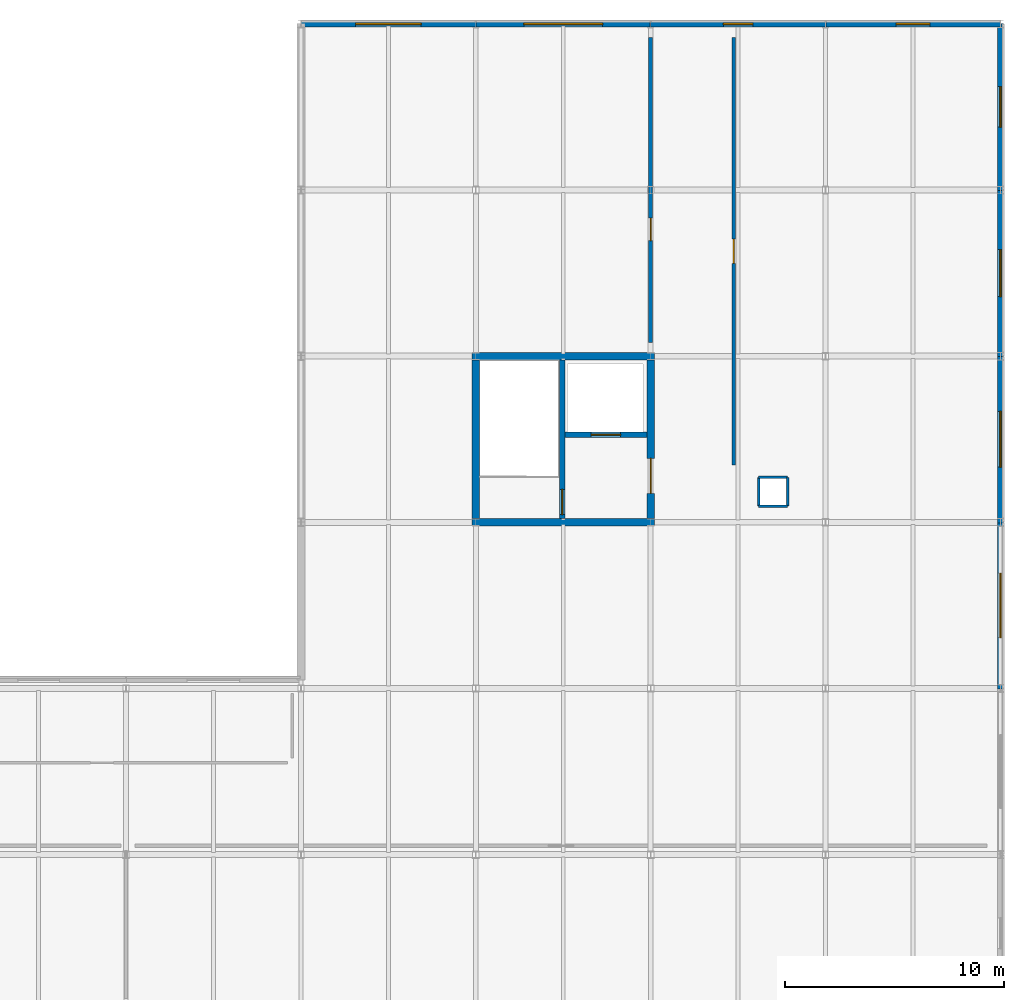
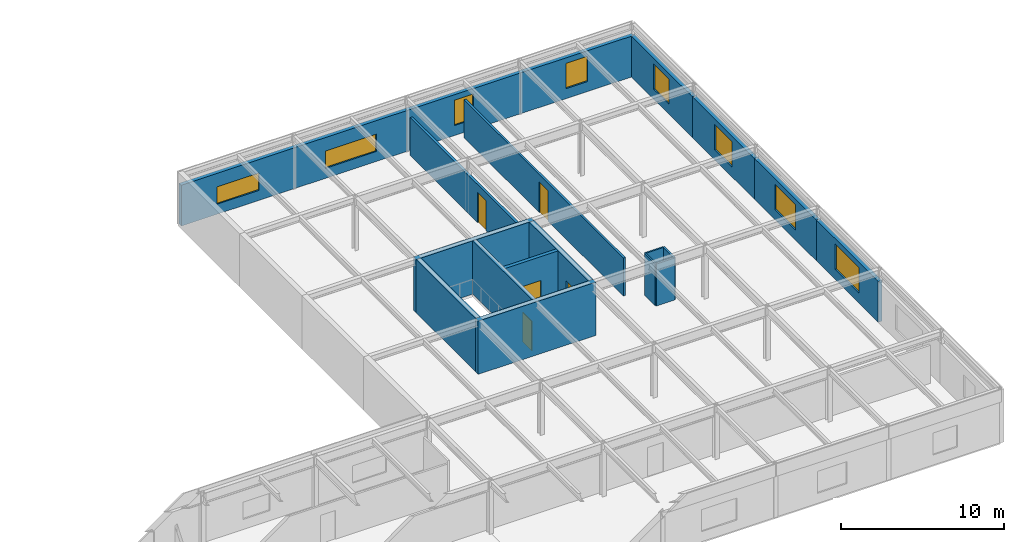
# One storey, part 26 of 33: 20 walls, 8 windows, 5 doors, 13 openings.
"""IFC4 building model written with IfcOpenShell, lengths in metres."""

from ifc_helpers import new_model, si_unit, direction, frame, frame_2d, origin, place, context, subcontext, project, spatial, rectangle, extrude, material, layer, layer_set, type_object, element, fill, save


model = new_model("IFC4")

# Units and contexts
model_context = context("Model", 3, precision=1e-05, world=origin(), true_north=direction((0.0, 1.0)))
body_context = subcontext(model_context, "Body", "Model", "MODEL_VIEW")
ifc_project = project(units=[si_unit("LENGTHUNIT", "METRE"), si_unit("AREAUNIT", "SQUARE_METRE"), si_unit("VOLUMEUNIT", "CUBIC_METRE"), si_unit("PLANEANGLEUNIT", "RADIAN"), si_unit("MASSUNIT", "GRAM", prefix="KILO")], contexts=[model_context])

# Site, building, storey
site_placement = place(None, origin())
site = spatial("IfcSite", under=ifc_project, at=site_placement, CompositionType="ELEMENT")
building_placement = place(site_placement, origin())
building = spatial("IfcBuilding", under=site, at=building_placement, Name="Zulena Civic Courthouse", CompositionType="ELEMENT")
storey_placement = place(building_placement, frame((0.0, 0.0, 33.60009765625)))
storey = spatial("IfcBuildingStorey", under=building, at=storey_placement, Name="L07", CompositionType="ELEMENT", Elevation=33.60009765625)

# Wall, opening, door
ifc_material_1 = material(Name="Concrete C40/50", Category="concrete")
ifc_layer_1 = layer(ifc_material_1, 0.25)
ifc_layer_set_1 = layer_set([ifc_layer_1], Name="Concrete C40/50")
wall_type_1 = type_object("IfcWallType", Name="CoreShearWall_RC250", PredefinedType="SHEAR", material=ifc_layer_set_1)
wall_1_placement = place(storey_placement, frame((79.949951171875, 68.574951171875, 0.0), z_axis=(0.0, 0.0, 1.0), x_axis=(0.0, 1.0, 0.0)))
wall_1 = element("IfcWall", 1, at=wall_1_placement, inside=storey, type_object=wall_type_1, Name="cwall:K5B:L07:DIV", PredefinedType="SHEAR", context=body_context, shape_type="SweptSolid", body=[
    extrude(rectangle(XDim=7.25, YDim=0.25, at=frame_2d((3.625, 0.0))), origin(), (0.0, 0.0, 1.0), 3.989990234375),
])
opening_1_placement = place(wall_1_placement, frame((0.179931640625, 0.0, 0.0)))
opening_1 = element("IfcOpeningElement", 2, at=opening_1_placement, cuts=wall_1, Name="Opening ID08", PredefinedType="OPENING", context=body_context, shape_type="SweptSolid", body=[
    extrude(rectangle(XDim=1.14990234375, YDim=2.199951171875, at=frame_2d((0.574951171875, 1.10009765625))), frame((0.0, 0.135009765625, 0.0), z_axis=(0.0, -1.0, 0.0), x_axis=(1.0, 0.0, 0.0)), (0.0, 0.0, 1.0), 0.27001953125),
])
ifc_material_2 = material(Name="Fire-rated galvanised steel ASTM A653 Grade 50", Category="steel")
door_type_1 = type_object("IfcDoorType", Name="IntDoor_Stair_1150x2200", OperationType="NOTDEFINED", PredefinedType="DOOR", material=ifc_material_2)
door_1_placement = place(opening_1_placement, origin())
door_1 = element("IfcDoor", 3, at=door_1_placement, inside=storey, type_object=door_type_1, Name="door:stair:K5B:L07", OperationType="SINGLE_SWING_RIGHT", OverallHeight=2.199951171875, OverallWidth=1.14990234375, PredefinedType="DOOR", context=body_context, shape_type="SweptSolid", body=[
    extrude(rectangle(XDim=1.14990234375, YDim=2.199951171875, at=frame_2d((0.574951171875, 1.10009765625))), frame((0.0, 0.02490234375, 0.0), z_axis=(0.0, -1.0, 0.0), x_axis=(1.0, 0.0, 0.0)), (0.0, 0.0, 1.0), 0.050048828125),
])
fill(opening_1, door_1)

wall_2_placement = place(storey_placement, frame((80.074951171875, 72.39990234375, 0.0), z_axis=(0.0, 0.0, 1.0), x_axis=(1.0, 0.0, 0.0)))
wall_2 = element("IfcWall", 4, at=wall_2_placement, inside=storey, type_object=wall_type_1, Name="cwall:K5B:L07:SHF", PredefinedType="SHEAR", context=body_context, shape_type="SweptSolid", body=[
    extrude(rectangle(XDim=3.75, YDim=0.25, at=frame_2d((1.875, 0.0))), origin(), (0.0, 0.0, 1.0), 3.989990234375),
])
opening_2_placement = place(wall_2_placement, frame((1.195068359375, 0.0, 0.0)))
opening_2 = element("IfcOpeningElement", 5, at=opening_2_placement, cuts=wall_2, Name="Opening LD04", PredefinedType="OPENING", context=body_context, shape_type="SweptSolid", body=[
    extrude(rectangle(XDim=1.35009765625, YDim=2.199951171875, at=frame_2d((0.675048828125, 1.10009765625))), frame((0.0, 0.135009765625, 0.0), z_axis=(0.0, -1.0, 0.0), x_axis=(1.0, 0.0, 0.0)), (0.0, 0.0, 1.0), 0.27001953125),
])
door_type_2 = type_object("IfcDoorType", Name="LiftLandingDoor_Goods_1350x2300", OperationType="DOUBLE_DOOR_SLIDING", PredefinedType="DOOR", material=ifc_material_2)
door_2_placement = place(opening_2_placement, origin())
door_2 = element("IfcDoor", 6, at=door_2_placement, inside=storey, type_object=door_type_2, Name="door:ld:CL-02:L07", OperationType="DOUBLE_DOOR_SLIDING", OverallHeight=2.199951171875, OverallWidth=1.35009765625, PredefinedType="DOOR", context=body_context, shape_type="SweptSolid", body=[
    extrude(rectangle(XDim=1.35009765625, YDim=2.199951171875, at=frame_2d((0.675048828125, 1.10009765625))), frame((0.0, 0.02490234375, 0.0), z_axis=(0.0, -1.0, 0.0), x_axis=(1.0, 0.0, 0.0)), (0.0, 0.0, 1.0), 0.050048828125),
])
fill(opening_2, door_2)

# Walls
ifc_layer_2 = layer(ifc_material_1, 0.35009765625)
ifc_layer_set_2 = layer_set([ifc_layer_2], Name="Concrete C40/50")
wall_type_2 = type_object("IfcWallType", Name="CoreShearWall_RC350", PredefinedType="SHEAR", material=ifc_layer_set_2)
for number, where, z_axis, x_axis, name in (
    (7, (75.824951171875, 68.39990234375, 0.0), (0.0, 0.0, 1.0), (1.0, 0.0, 0.0), "cwall:K5B:L07:S"),
    (8, (75.824951171875, 76.0, 0.0), (0.0, 0.0, 1.0), (1.0, 0.0, 0.0), "cwall:K5B:L07:N"),
):
    element("IfcWall", number, at=place(storey_placement, frame(where, z_axis=z_axis, x_axis=x_axis)), inside=storey, type_object=wall_type_2, Name=name, PredefinedType="SHEAR", context=body_context, shape_type="SweptSolid", body=[
        extrude(rectangle(XDim=8.35009765625, YDim=0.35009765625, at=frame_2d((4.175048828125, 0.0))), origin(), (0.0, 0.0, 1.0), 3.989990234375),
    ])
wall_3_placement = place(storey_placement, frame((76.0, 68.574951171875, 0.0), z_axis=(0.0, 0.0, 1.0), x_axis=(0.0, 1.0, 0.0)))
element("IfcWall", 9, at=wall_3_placement, inside=storey, type_object=wall_type_2, Name="cwall:K5B:L07:W", PredefinedType="SHEAR", context=body_context, shape_type="SweptSolid", body=[
    extrude(rectangle(XDim=7.25, YDim=0.35009765625, at=frame_2d((3.625, 0.0))), origin(), (0.0, 0.0, 1.0), 3.989990234375),
])

# Wall, opening, door
wall_4_placement = place(storey_placement, frame((84.0, 68.574951171875, 0.0), z_axis=(0.0, 0.0, 1.0), x_axis=(0.0, 1.0, 0.0)))
wall_4 = element("IfcWall", 10, at=wall_4_placement, inside=storey, type_object=wall_type_2, Name="cwall:K5B:L07:E", PredefinedType="SHEAR", context=body_context, shape_type="SweptSolid", body=[
    extrude(rectangle(XDim=7.25, YDim=0.35009765625, at=frame_2d((3.625, 0.0))), origin(), (0.0, 0.0, 1.0), 3.989990234375),
])
opening_3_placement = place(wall_4_placement, frame((1.14990234375, 0.0, 0.0)))
opening_3 = element("IfcOpeningElement", 11, at=opening_3_placement, cuts=wall_4, Name="Opening ID04", PredefinedType="OPENING", context=body_context, shape_type="SweptSolid", body=[
    extrude(rectangle(XDim=1.60009765625, YDim=2.35009765625, at=frame_2d((0.800048828125, 1.175048828125))), frame((0.0, 0.18505859375, 0.0), z_axis=(0.0, -1.0, 0.0), x_axis=(1.0, 0.0, 0.0)), (0.0, 0.0, 1.0), 0.3701171875),
])
ifc_material_3 = material(Name="Solid-core acoustic hardwood timber", Category="wood")
door_type_3 = type_object("IfcDoorType", Name="IntDoor_CourtPublic_1600x2350", OperationType="DOUBLE_DOOR_SINGLE_SWING", PredefinedType="DOOR", material=ifc_material_3)
door_3_placement = place(opening_3_placement, origin())
door_3 = element("IfcDoor", 12, at=door_3_placement, inside=storey, type_object=door_type_3, Name="door:corelob:K5B:L07", OperationType="DOUBLE_DOOR_SINGLE_SWING", OverallHeight=2.35009765625, OverallWidth=1.60009765625, PredefinedType="DOOR", context=body_context, shape_type="SweptSolid", body=[
    extrude(rectangle(XDim=1.60009765625, YDim=2.35009765625, at=frame_2d((0.800048828125, 1.175048828125))), frame((0.0, 0.02490234375, 0.0), z_axis=(0.0, -1.0, 0.0), x_axis=(1.0, 0.0, 0.0)), (0.0, 0.0, 1.0), 0.050048828125),
])
fill(opening_3, door_3)

# Wall, opening, window
ifc_material_4 = material(Name="Buff architectural precast concrete C40/50", Category="concrete")
ifc_layer_3 = layer(ifc_material_4, 0.264892578125)
ifc_layer_set_3 = layer_set([ifc_layer_3], Name="Buff architectural precast concrete C40/50")
wall_type_3 = type_object("IfcWallType", Name="ExtWall_BuffPrecast_265", PredefinedType="STANDARD", material=ifc_layer_set_3)
wall_5_placement = place(storey_placement, frame((67.97998046875, 91.199951171875, 0.0), z_axis=(0.0, 0.0, 1.0), x_axis=(1.0, 0.0, 0.0)))
wall_5 = element("IfcWall", 13, at=wall_5_placement, inside=storey, type_object=wall_type_3, Name="ewall:V5:L07:3:0", PredefinedType="STANDARD", context=body_context, shape_type="SweptSolid", body=[
    extrude(rectangle(XDim=8.0400390625, YDim=0.264892578125, at=frame_2d((4.02001953125, 0.0))), origin(), (0.0, 0.0, 1.0), 3.059814453125),
])
opening_4_placement = place(wall_5_placement, frame((2.52001953125, 0.0, 0.75)))
opening_4 = element("IfcOpeningElement", 14, at=opening_4_placement, cuts=wall_5, Name="Opening WN33", PredefinedType="OPENING", context=body_context, shape_type="SweptSolid", body=[
    extrude(rectangle(XDim=3.0, YDim=1.300048828125, at=frame_2d((1.5, 0.64990234375))), frame((0.0, 0.142333984375, 0.0), z_axis=(0.0, -1.0, 0.0), x_axis=(1.0, 0.0, 0.0)), (0.0, 0.0, 1.0), 0.284912109375),
])
ifc_material_5 = material(Name="Double-silver low-E laminated solar-control glass", Category="glass")
window_type_1 = type_object("IfcWindowType", Name="Win_3000x1300", PartitioningType="DOUBLE_PANEL_VERTICAL", PredefinedType="WINDOW", material=ifc_material_5)
window_1_placement = place(opening_4_placement, origin())
window_1 = element("IfcWindow", 15, at=window_1_placement, inside=storey, type_object=window_type_1, Name="win:V5:L07:3:0", OverallHeight=1.300048828125, OverallWidth=3.0, PartitioningType="SINGLE_PANEL", PredefinedType="WINDOW", context=body_context, shape_type="SweptSolid", body=[
    extrude(rectangle(XDim=3.0, YDim=1.300048828125, at=frame_2d((1.5, 0.64990234375))), frame((0.0, 0.030029296875, 0.0), z_axis=(0.0, -1.0, 0.0), x_axis=(1.0, 0.0, 0.0)), (0.0, 0.0, 1.0), 0.06005859375),
])
fill(opening_4, window_1)

wall_6_placement = place(storey_placement, frame((75.97998046875, 91.199951171875, 0.0), z_axis=(0.0, 0.0, 1.0), x_axis=(1.0, 0.0, 0.0)))
wall_6 = element("IfcWall", 16, at=wall_6_placement, inside=storey, type_object=wall_type_3, Name="ewall:V5:L07:3:1", PredefinedType="STANDARD", context=body_context, shape_type="SweptSolid", body=[
    extrude(rectangle(XDim=8.0400390625, YDim=0.264892578125, at=frame_2d((4.02001953125, 0.0))), origin(), (0.0, 0.0, 1.0), 3.059814453125),
])
opening_5_placement = place(wall_6_placement, frame((2.219970703125, 0.0, 0.75)))
opening_5 = element("IfcOpeningElement", 17, at=opening_5_placement, cuts=wall_6, Name="Opening WN34", PredefinedType="OPENING", context=body_context, shape_type="SweptSolid", body=[
    extrude(rectangle(XDim=3.60009765625, YDim=1.300048828125, at=frame_2d((1.800048828125, 0.64990234375))), frame((0.0, 0.142333984375, 0.0), z_axis=(0.0, -1.0, 0.0), x_axis=(1.0, 0.0, 0.0)), (0.0, 0.0, 1.0), 0.284912109375),
])
window_type_2 = type_object("IfcWindowType", Name="Win_3600x1300", PartitioningType="DOUBLE_PANEL_VERTICAL", PredefinedType="WINDOW", material=ifc_material_5)
window_2_placement = place(opening_5_placement, origin())
window_2 = element("IfcWindow", 18, at=window_2_placement, inside=storey, type_object=window_type_2, Name="win:V5:L07:3:1", OverallHeight=1.300048828125, OverallWidth=3.60009765625, PartitioningType="SINGLE_PANEL", PredefinedType="WINDOW", context=body_context, shape_type="SweptSolid", body=[
    extrude(rectangle(XDim=3.60009765625, YDim=1.300048828125, at=frame_2d((1.800048828125, 0.64990234375))), frame((0.0, 0.030029296875, 0.0), z_axis=(0.0, -1.0, 0.0), x_axis=(1.0, 0.0, 0.0)), (0.0, 0.0, 1.0), 0.06005859375),
])
fill(opening_5, window_2)

wall_7_placement = place(storey_placement, frame((83.97998046875, 91.199951171875, 0.0), z_axis=(0.0, 0.0, 1.0), x_axis=(1.0, 0.0, 0.0)))
wall_7 = element("IfcWall", 19, at=wall_7_placement, inside=storey, type_object=wall_type_3, Name="ewall:V5:L07:3:2", PredefinedType="STANDARD", context=body_context, shape_type="SweptSolid", body=[
    extrude(rectangle(XDim=8.0400390625, YDim=0.264892578125, at=frame_2d((4.02001953125, 0.0))), origin(), (0.0, 0.0, 1.0), 3.059814453125),
])
opening_6_placement = place(wall_7_placement, frame((3.344970703125, 0.0, 0.75)))
opening_6 = element("IfcOpeningElement", 20, at=opening_6_placement, cuts=wall_7, Name="Opening WN35", PredefinedType="OPENING", context=body_context, shape_type="SweptSolid", body=[
    extrude(rectangle(XDim=1.35009765625, YDim=1.89990234375, at=frame_2d((0.675048828125, 0.949951171875))), frame((0.0, 0.142333984375, 0.0), z_axis=(0.0, -1.0, 0.0), x_axis=(1.0, 0.0, 0.0)), (0.0, 0.0, 1.0), 0.284912109375),
])
window_type_3 = type_object("IfcWindowType", Name="Win_1350x1900", PartitioningType="SINGLE_PANEL", PredefinedType="WINDOW", material=ifc_material_5)
window_3_placement = place(opening_6_placement, origin())
window_3 = element("IfcWindow", 21, at=window_3_placement, inside=storey, type_object=window_type_3, Name="win:V5:L07:3:2", OverallHeight=1.89990234375, OverallWidth=1.35009765625, PartitioningType="SINGLE_PANEL", PredefinedType="WINDOW", context=body_context, shape_type="SweptSolid", body=[
    extrude(rectangle(XDim=1.35009765625, YDim=1.89990234375, at=frame_2d((0.675048828125, 0.949951171875))), frame((0.0, 0.030029296875, 0.0), z_axis=(0.0, -1.0, 0.0), x_axis=(1.0, 0.0, 0.0)), (0.0, 0.0, 1.0), 0.06005859375),
])
fill(opening_6, window_3)

wall_8_placement = place(storey_placement, frame((91.97998046875, 91.199951171875, 0.0), z_axis=(0.0, 0.0, 1.0), x_axis=(1.0, 0.0, 0.0)))
wall_8 = element("IfcWall", 22, at=wall_8_placement, inside=storey, type_object=wall_type_3, Name="ewall:V5:L07:3:3", PredefinedType="STANDARD", context=body_context, shape_type="SweptSolid", body=[
    extrude(rectangle(XDim=8.0400390625, YDim=0.264892578125, at=frame_2d((4.02001953125, 0.0))), origin(), (0.0, 0.0, 1.0), 3.059814453125),
])
opening_7_placement = place(wall_8_placement, frame((3.2451171875, 0.0, 0.75)))
opening_7 = element("IfcOpeningElement", 23, at=opening_7_placement, cuts=wall_8, Name="Opening WN36", PredefinedType="OPENING", context=body_context, shape_type="SweptSolid", body=[
    extrude(rectangle(XDim=1.550048828125, YDim=1.89990234375, at=frame_2d((0.77490234375, 0.949951171875))), frame((0.0, 0.142333984375, 0.0), z_axis=(0.0, -1.0, 0.0), x_axis=(1.0, 0.0, 0.0)), (0.0, 0.0, 1.0), 0.284912109375),
])
window_type_4 = type_object("IfcWindowType", Name="Win_1550x1900", PartitioningType="SINGLE_PANEL", PredefinedType="WINDOW", material=ifc_material_5)
window_4_placement = place(opening_7_placement, origin())
window_4 = element("IfcWindow", 24, at=window_4_placement, inside=storey, type_object=window_type_4, Name="win:V5:L07:3:3", OverallHeight=1.89990234375, OverallWidth=1.550048828125, PartitioningType="SINGLE_PANEL", PredefinedType="WINDOW", context=body_context, shape_type="SweptSolid", body=[
    extrude(rectangle(XDim=1.550048828125, YDim=1.89990234375, at=frame_2d((0.77490234375, 0.949951171875))), frame((0.0, 0.030029296875, 0.0), z_axis=(0.0, -1.0, 0.0), x_axis=(1.0, 0.0, 0.0)), (0.0, 0.0, 1.0), 0.06005859375),
])
fill(opening_7, window_4)

wall_9_placement = place(storey_placement, frame((100.0, 91.219970703125, 0.0), z_axis=(0.0, 0.0, 1.0), x_axis=(0.0, -1.0, 0.0)))
wall_9 = element("IfcWall", 25, at=wall_9_placement, inside=storey, type_object=wall_type_3, Name="ewall:V5:L07:4:0", PredefinedType="STANDARD", context=body_context, shape_type="SweptSolid", body=[
    extrude(rectangle(XDim=7.639892578125, YDim=0.264892578125, at=frame_2d((3.81982421875, 0.0))), origin(), (0.0, 0.0, 1.0), 3.059814453125),
])
opening_8_placement = place(wall_9_placement, frame((2.89501953125, 0.0, 0.75)))
opening_8 = element("IfcOpeningElement", 26, at=opening_8_placement, cuts=wall_9, Name="Opening WN37", PredefinedType="OPENING", context=body_context, shape_type="SweptSolid", body=[
    extrude(rectangle(XDim=1.85009765625, YDim=1.89990234375, at=frame_2d((0.925048828125, 0.949951171875))), frame((0.0, 0.142333984375, 0.0), z_axis=(0.0, -1.0, 0.0), x_axis=(1.0, 0.0, 0.0)), (0.0, 0.0, 1.0), 0.284912109375),
])
window_type_5 = type_object("IfcWindowType", Name="Win_1850x1900", PartitioningType="DOUBLE_PANEL_VERTICAL", PredefinedType="WINDOW", material=ifc_material_5)
window_5_placement = place(opening_8_placement, origin())
window_5 = element("IfcWindow", 27, at=window_5_placement, inside=storey, type_object=window_type_5, Name="win:V5:L07:4:0", OverallHeight=1.89990234375, OverallWidth=1.85009765625, PartitioningType="SINGLE_PANEL", PredefinedType="WINDOW", context=body_context, shape_type="SweptSolid", body=[
    extrude(rectangle(XDim=1.85009765625, YDim=1.89990234375, at=frame_2d((0.925048828125, 0.949951171875))), frame((0.0, 0.030029296875, 0.0), z_axis=(0.0, -1.0, 0.0), x_axis=(1.0, 0.0, 0.0)), (0.0, 0.0, 1.0), 0.06005859375),
])
fill(opening_8, window_5)

wall_10_placement = place(storey_placement, frame((100.0, 83.6201171875, 0.0), z_axis=(0.0, 0.0, 1.0), x_axis=(0.0, -1.0, 0.0)))
wall_10 = element("IfcWall", 28, at=wall_10_placement, inside=storey, type_object=wall_type_3, Name="ewall:V5:L07:4:1", PredefinedType="STANDARD", context=body_context, shape_type="SweptSolid", body=[
    extrude(rectangle(XDim=7.64013671875, YDim=0.264892578125, at=frame_2d((3.820068359375, 0.0))), origin(), (0.0, 0.0, 1.0), 3.059814453125),
])
opening_9_placement = place(wall_10_placement, frame((2.7451171875, 0.0, 0.75)))
opening_9 = element("IfcOpeningElement", 29, at=opening_9_placement, cuts=wall_10, Name="Opening WN38", PredefinedType="OPENING", context=body_context, shape_type="SweptSolid", body=[
    extrude(rectangle(XDim=2.14990234375, YDim=1.89990234375, at=frame_2d((1.074951171875, 0.949951171875))), frame((0.0, 0.142333984375, 0.0), z_axis=(0.0, -1.0, 0.0), x_axis=(1.0, 0.0, 0.0)), (0.0, 0.0, 1.0), 0.284912109375),
])
window_type_6 = type_object("IfcWindowType", Name="Win_2150x1900", PartitioningType="DOUBLE_PANEL_VERTICAL", PredefinedType="WINDOW", material=ifc_material_5)
window_6_placement = place(opening_9_placement, origin())
window_6 = element("IfcWindow", 30, at=window_6_placement, inside=storey, type_object=window_type_6, Name="win:V5:L07:4:1", OverallHeight=1.89990234375, OverallWidth=2.14990234375, PartitioningType="SINGLE_PANEL", PredefinedType="WINDOW", context=body_context, shape_type="SweptSolid", body=[
    extrude(rectangle(XDim=2.14990234375, YDim=1.89990234375, at=frame_2d((1.074951171875, 0.949951171875))), frame((0.0, 0.030029296875, 0.0), z_axis=(0.0, -1.0, 0.0), x_axis=(1.0, 0.0, 0.0)), (0.0, 0.0, 1.0), 0.06005859375),
])
fill(opening_9, window_6)

wall_11_placement = place(storey_placement, frame((100.0, 76.02001953125, 0.0), z_axis=(0.0, 0.0, 1.0), x_axis=(0.0, -1.0, 0.0)))
wall_11 = element("IfcWall", 31, at=wall_11_placement, inside=storey, type_object=wall_type_3, Name="ewall:V5:L07:4:2", PredefinedType="STANDARD", context=body_context, shape_type="SweptSolid", body=[
    extrude(rectangle(XDim=7.64013671875, YDim=0.264892578125, at=frame_2d((3.820068359375, 0.0))), origin(), (0.0, 0.0, 1.0), 3.059814453125),
])
opening_10_placement = place(wall_11_placement, frame((2.544921875, 0.0, 0.75)))
opening_10 = element("IfcOpeningElement", 32, at=opening_10_placement, cuts=wall_11, Name="Opening WN39", PredefinedType="OPENING", context=body_context, shape_type="SweptSolid", body=[
    extrude(rectangle(XDim=2.550048828125, YDim=1.89990234375, at=frame_2d((1.27490234375, 0.949951171875))), frame((0.0, 0.142333984375, 0.0), z_axis=(0.0, -1.0, 0.0), x_axis=(1.0, 0.0, 0.0)), (0.0, 0.0, 1.0), 0.284912109375),
])
window_type_7 = type_object("IfcWindowType", Name="Win_2550x1900", PartitioningType="DOUBLE_PANEL_VERTICAL", PredefinedType="WINDOW", material=ifc_material_5)
window_7_placement = place(opening_10_placement, origin())
window_7 = element("IfcWindow", 33, at=window_7_placement, inside=storey, type_object=window_type_7, Name="win:V5:L07:4:2", OverallHeight=1.89990234375, OverallWidth=2.550048828125, PartitioningType="SINGLE_PANEL", PredefinedType="WINDOW", context=body_context, shape_type="SweptSolid", body=[
    extrude(rectangle(XDim=2.550048828125, YDim=1.89990234375, at=frame_2d((1.27490234375, 0.949951171875))), frame((0.0, 0.030029296875, 0.0), z_axis=(0.0, -1.0, 0.0), x_axis=(1.0, 0.0, 0.0)), (0.0, 0.0, 1.0), 0.06005859375),
])
fill(opening_10, window_7)

wall_12_placement = place(storey_placement, frame((100.0, 68.419921875, 0.0), z_axis=(0.0, 0.0, 1.0), x_axis=(0.0, -1.0, 0.0)))
wall_12 = element("IfcWall", 34, at=wall_12_placement, inside=storey, type_object=wall_type_3, Name="ewall:V5:L07:4:3", PredefinedType="STANDARD", context=body_context, shape_type="SweptSolid", body=[
    extrude(rectangle(XDim=7.639892578125, YDim=0.264892578125, at=frame_2d((3.81982421875, 0.0))), origin(), (0.0, 0.0, 1.0), 3.059814453125),
])
opening_11_placement = place(wall_12_placement, frame((2.344970703125, 0.0, 0.75)))
opening_11 = element("IfcOpeningElement", 35, at=opening_11_placement, cuts=wall_12, Name="Opening WN40", PredefinedType="OPENING", context=body_context, shape_type="SweptSolid", body=[
    extrude(rectangle(XDim=2.949951171875, YDim=1.89990234375, at=frame_2d((1.47509765625, 0.949951171875))), frame((0.0, 0.142333984375, 0.0), z_axis=(0.0, -1.0, 0.0), x_axis=(1.0, 0.0, 0.0)), (0.0, 0.0, 1.0), 0.284912109375),
])
window_type_8 = type_object("IfcWindowType", Name="Win_2950x1900", PartitioningType="DOUBLE_PANEL_VERTICAL", PredefinedType="WINDOW", material=ifc_material_5)
window_8_placement = place(opening_11_placement, origin())
window_8 = element("IfcWindow", 36, at=window_8_placement, inside=storey, type_object=window_type_8, Name="win:V5:L07:4:3", OverallHeight=1.89990234375, OverallWidth=2.949951171875, PartitioningType="SINGLE_PANEL", PredefinedType="WINDOW", context=body_context, shape_type="SweptSolid", body=[
    extrude(rectangle(XDim=2.949951171875, YDim=1.89990234375, at=frame_2d((1.47509765625, 0.949951171875))), frame((0.0, 0.030029296875, 0.0), z_axis=(0.0, -1.0, 0.0), x_axis=(1.0, 0.0, 0.0)), (0.0, 0.0, 1.0), 0.06005859375),
])
fill(opening_11, window_8)

# Wall, opening, door
ifc_material_6 = material(Name="Acoustic fire-rated gypsum board assembly", Category="masonry")
ifc_layer_4 = layer(ifc_material_6, 0.14599609375)
ifc_layer_set_4 = layer_set([ifc_layer_4], Name="Acoustic fire-rated gypsum board assembly")
wall_type_4 = type_object("IfcWallType", Name="PartWall_Chambers_146", PredefinedType="PARTITIONING", material=ifc_layer_set_4)
wall_13_placement = place(storey_placement, frame((87.800048828125, 71.02001953125, 0.0), z_axis=(0.0, 0.0, 1.0), x_axis=(0.0, 1.0, 0.0)))
wall_13 = element("IfcWall", 37, at=wall_13_placement, inside=storey, type_object=wall_type_4, Name="pwall:L07:433:0", PredefinedType="PARTITIONING", context=body_context, shape_type="SweptSolid", body=[
    extrude(rectangle(XDim=19.56005859375, YDim=0.14599609375, at=frame_2d((9.780029296875, 0.0))), origin(), (0.0, 0.0, 1.0), 2.849853515625),
])
opening_12_placement = place(wall_13_placement, frame((9.22998046875, 0.0, 0.0)))
opening_12 = element("IfcOpeningElement", 38, at=opening_12_placement, cuts=wall_13, Name="Opening ID11", PredefinedType="OPENING", context=body_context, shape_type="SweptSolid", body=[
    extrude(rectangle(XDim=1.10009765625, YDim=2.300048828125, at=frame_2d((0.550048828125, 1.14990234375))), frame((0.0, 0.0830078125, 0.0), z_axis=(0.0, -1.0, 0.0), x_axis=(1.0, 0.0, 0.0)), (0.0, 0.0, 1.0), 0.166015625),
])
door_type_4 = type_object("IfcDoorType", Name="IntDoor_Jury_1100x2300", OperationType="NOTDEFINED", PredefinedType="DOOR", material=ifc_material_3)
door_4_placement = place(opening_12_placement, origin())
door_4 = element("IfcDoor", 39, at=door_4_placement, inside=storey, type_object=door_type_4, Name="door:rm:L07:433", OperationType="SINGLE_SWING_LEFT", OverallHeight=2.300048828125, OverallWidth=1.10009765625, PredefinedType="DOOR", context=body_context, shape_type="SweptSolid", body=[
    extrude(rectangle(XDim=1.10009765625, YDim=2.300048828125, at=frame_2d((0.550048828125, 1.14990234375))), frame((0.0, 0.02490234375, 0.0), z_axis=(0.0, -1.0, 0.0), x_axis=(1.0, 0.0, 0.0)), (0.0, 0.0, 1.0), 0.050048828125),
])
fill(opening_12, door_4)

ifc_layer_5 = layer(ifc_material_6, 0.177978515625)
ifc_layer_set_5 = layer_set([ifc_layer_5], Name="Acoustic fire-rated gypsum board assembly")
wall_type_5 = type_object("IfcWallType", Name="PartWall_Corridor_178", PredefinedType="PARTITIONING", material=ifc_layer_set_5)
wall_14_placement = place(storey_placement, frame((84.0, 76.6201171875, 0.0), z_axis=(0.0, 0.0, 1.0), x_axis=(0.0, 1.0, 0.0)))
wall_14 = element("IfcWall", 40, at=wall_14_placement, inside=storey, type_object=wall_type_5, Name="pwall:L07:434:0", PredefinedType="PARTITIONING", context=body_context, shape_type="SweptSolid", body=[
    extrude(rectangle(XDim=13.9599609375, YDim=0.177978515625, at=frame_2d((6.97998046875, 0.0))), origin(), (0.0, 0.0, 1.0), 2.849853515625),
])
opening_13_placement = place(wall_14_placement, frame((4.669921875, 0.0, 0.0)))
opening_13 = element("IfcOpeningElement", 41, at=opening_13_placement, cuts=wall_14, Name="Opening ID12", PredefinedType="OPENING", context=body_context, shape_type="SweptSolid", body=[
    extrude(rectangle(XDim=1.02001953125, YDim=2.25, at=frame_2d((0.510009765625, 1.125))), frame((0.0, 0.098876953125, 0.0), z_axis=(0.0, -1.0, 0.0), x_axis=(1.0, 0.0, 0.0)), (0.0, 0.0, 1.0), 0.197998046875),
])
door_type_5 = type_object("IfcDoorType", Name="IntDoor_Jury_1020x2250", OperationType="NOTDEFINED", PredefinedType="DOOR", material=ifc_material_3)
door_5_placement = place(opening_13_placement, origin())
door_5 = element("IfcDoor", 42, at=door_5_placement, inside=storey, type_object=door_type_5, Name="door:rm:L07:434", OperationType="SINGLE_SWING_RIGHT", OverallHeight=2.25, OverallWidth=1.02001953125, PredefinedType="DOOR", context=body_context, shape_type="SweptSolid", body=[
    extrude(rectangle(XDim=1.02001953125, YDim=2.25, at=frame_2d((0.510009765625, 1.125))), frame((0.0, 0.02490234375, 0.0), z_axis=(0.0, -1.0, 0.0), x_axis=(1.0, 0.0, 0.0)), (0.0, 0.0, 1.0), 0.050048828125),
])
fill(opening_13, door_5)

# Walls
ifc_material_7 = material(Name="Insulated blockwork masonry ASTM C90", Category="masonry")
ifc_layer_6 = layer(ifc_material_7, 0.114990234375)
ifc_layer_set_6 = layer_set([ifc_layer_6], Name="Insulated blockwork masonry ASTM C90")
wall_type_6 = type_object("IfcWallType", Name="PartWall_Riser_115", PredefinedType="PARTITIONING", material=ifc_layer_set_6)
for number, where, z_axis, x_axis, name in (
    (43, (88.93994140625, 69.139892578125, 0.0), (0.0, 0.0, 1.0), (1.0, 0.0, 0.0), "riser:RS-V5N:L07:0"),
    (44, (90.260009765625, 69.139892578125, 0.0), (0.0, 0.0, 1.0), (0.0, 1.0, 0.0), "riser:RS-V5N:L07:1"),
    (45, (90.260009765625, 70.4599609375, 0.0), (0.0, 0.0, 1.0), (-1.0, 0.0, 0.0), "riser:RS-V5N:L07:2"),
    (46, (88.93994140625, 70.4599609375, 0.0), (0.0, 0.0, 1.0), (0.0, -1.0, 0.0), "riser:RS-V5N:L07:3"),
):
    element("IfcWall", number, at=place(storey_placement, frame(where, z_axis=z_axis, x_axis=x_axis)), inside=storey, type_object=wall_type_6, Name=name, PredefinedType="PARTITIONING", context=body_context, shape_type="SweptSolid", body=[
        extrude(rectangle(XDim=1.320068359375, YDim=0.114990234375, at=frame_2d((0.66015625, 0.0))), origin(), (0.0, 0.0, 1.0), 3.14990234375),
    ])

save(model, "model.ifc")
